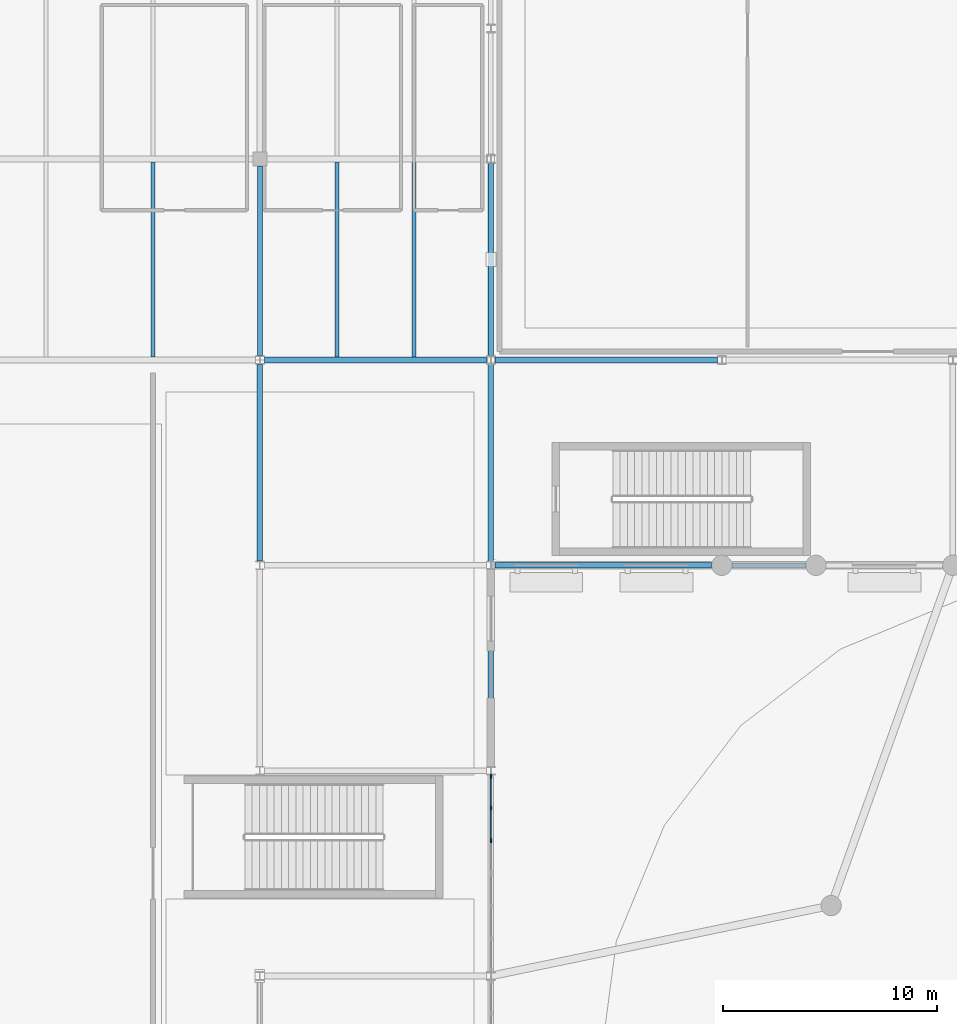
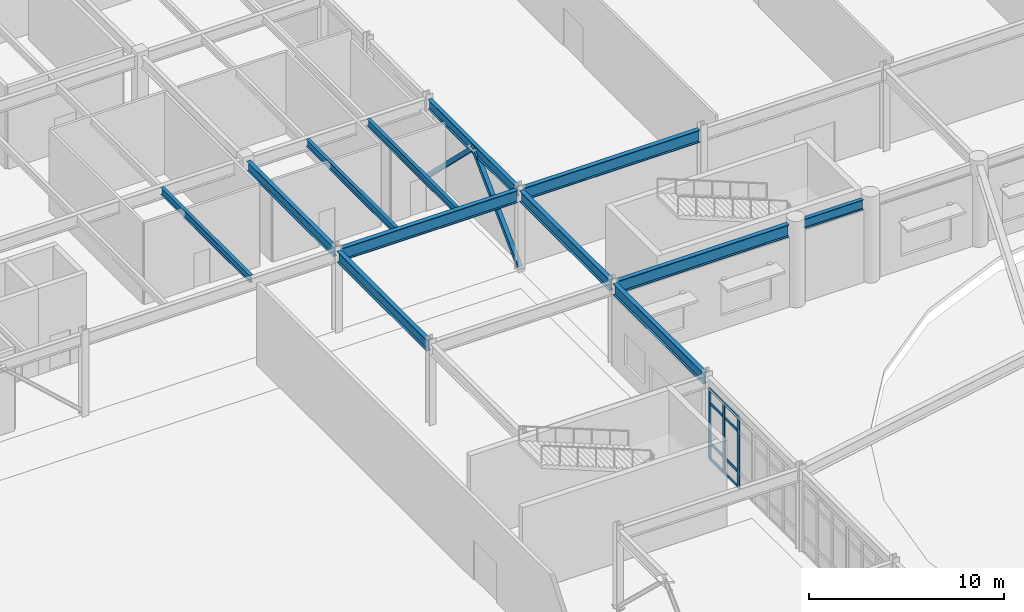
# One storey, part 16 of 54: 13 members, 12 beams, 1 element without a shape of its own.
"""IFC4 building model written with IfcOpenShell, lengths in metres."""

import ifcopenshell
import ifcopenshell.guid

model = None  # the IFC model being written
_history = None  # IfcOwnerHistory: only IFC2X3 demands one
_inside = {}  # id of a spatial element -> (the spatial element, [elements in it])
_under = {}  # id of a project, library or spatial element -> (it, [spatial elements below it])
_declared = {}  # id of a project -> (the project, [libraries it declares])
_typed = {}  # id of a type object -> (the type object, [elements of that type])
_made_of = {}  # id of a material, layer set ... -> (it, [elements and type objects made of it])


def new_model(schema):
    """Start an empty IFC model of exactly this schema.

    Asked for "IFC4X3", IfcOpenShell would pick the latest addendum, in which some entities
    have other attributes; the version numbers below select the first issue.
    IFC2X3 requires an IfcOwnerHistory on every rooted entity: one is made here for all.
    """
    global model, _history
    if schema == "IFC4X3":
        model = ifcopenshell.file(schema_version=(4, 3, 0, 0))
    else:
        model = ifcopenshell.file(schema=schema)
    _inside.clear()
    _under.clear()
    _declared.clear()
    _typed.clear()
    _made_of.clear()
    _history = None
    if model.schema == "IFC2X3":
        org = make("IfcOrganization", Name="unknown")
        user = make(
            "IfcPersonAndOrganization",
            ThePerson=make("IfcPerson", FamilyName="unknown"),
            TheOrganization=org,
        )
        app = make(
            "IfcApplication",
            ApplicationDeveloper=org,
            Version="unknown",
            ApplicationFullName="unknown",
            ApplicationIdentifier="unknown",
        )
        _history = make(
            "IfcOwnerHistory",
            OwningUser=user,
            OwningApplication=app,
            ChangeAction="ADDED",
            CreationDate=0,
        )
    return model


def make(cls, **values):
    """One entity of the class cls with the attributes given. An attribute that is None is left unset."""
    return model.create_entity(
        cls, **{name: value for name, value in values.items() if value is not None}
    )


def rooted(cls, **values):
    """An entity with a GlobalId (a new one), such as an element, a storey or a relation."""
    return make(cls, GlobalId=ifcopenshell.guid.new(), OwnerHistory=_history, **values)


def si_unit(unit_type, name, prefix=None):
    """IfcSIUnit, for example si_unit("LENGTHUNIT", "METRE", prefix="MILLI")."""
    return make("IfcSIUnit", UnitType=unit_type, Prefix=prefix, Name=name)


def assignment(units):
    """IfcUnitAssignment: the units of a project."""
    return None if units is None else make("IfcUnitAssignment", Units=units)


def point(xyz):
    """IfcCartesianPoint."""
    return None if xyz is None else make("IfcCartesianPoint", Coordinates=xyz)


def direction(xyz):
    """IfcDirection."""
    return None if xyz is None else make("IfcDirection", DirectionRatios=xyz)


def frame(location, z_axis=None, x_axis=None):
    """IfcAxis2Placement3D, a coordinate frame: its origin and axes. An axis left out is left unset."""
    return make(
        "IfcAxis2Placement3D",
        Location=point(location),
        Axis=direction(z_axis),
        RefDirection=direction(x_axis),
    )


def frame_2d(location, x_axis=None):
    """IfcAxis2Placement2D, a coordinate frame in the plane: its origin and x axis."""
    return make(
        "IfcAxis2Placement2D", Location=point(location), RefDirection=direction(x_axis)
    )


def origin():
    """The frame at (0, 0, 0) with its axes left unset."""
    return frame((0.0, 0.0, 0.0))


def origin_2d():
    """The frame at (0, 0) in the plane with its x axis left unset."""
    return frame_2d((0.0, 0.0))


def place(relative_to, where):
    """IfcLocalPlacement: puts the frame where relative to a parent placement (None: the world)."""
    return make(
        "IfcLocalPlacement", PlacementRelTo=relative_to, RelativePlacement=where
    )


def context(
    kind, dimensions, precision=None, world=None, true_north=None, identifier=None
):
    """IfcGeometricRepresentationContext, for example the 3D "Model" context."""
    return make(
        "IfcGeometricRepresentationContext",
        ContextIdentifier=identifier,
        ContextType=kind,
        CoordinateSpaceDimension=dimensions,
        Precision=precision,
        WorldCoordinateSystem=world,
        TrueNorth=true_north,
    )


def subcontext(parent, identifier, kind, view, scale=None):
    """IfcGeometricRepresentationSubContext, for example "Body" below "Model"."""
    return make(
        "IfcGeometricRepresentationSubContext",
        ContextIdentifier=identifier,
        ContextType=kind,
        ParentContext=parent,
        TargetScale=scale,
        TargetView=view,
    )


def project(units=None, contexts=None):
    """IfcProject with its units and contexts."""
    return rooted(
        "IfcProject",
        Name="project",
        RepresentationContexts=contexts,
        UnitsInContext=assignment(units),
    )


def spatial(cls, under=None, at=None, **own):
    """A site, building, storey or space (cls), placed at a placement, below another one or the project."""
    s = rooted(cls, ObjectPlacement=at, **own)
    if under is not None:
        _under.setdefault(under.id(), (under, []))[1].append(s)
    return s


def profile(cls, at=None, kind="AREA", **sizes):
    """A parametric profile (cls). Its sizes go by their IFC names, for example OverallWidth=200.0."""
    return make(cls, ProfileType=kind, Position=at, **sizes)


def rectangle(**sizes):
    """IfcRectangleProfileDef."""
    return profile("IfcRectangleProfileDef", **sizes)


def hollow_rectangle(**sizes):
    """IfcRectangleHollowProfileDef."""
    return profile("IfcRectangleHollowProfileDef", **sizes)


def i_section(**sizes):
    """IfcIShapeProfileDef."""
    return profile("IfcIShapeProfileDef", **sizes)


def extrude(swept, where, along, depth):
    """IfcExtrudedAreaSolid: the profile swept, set in the frame where, extruded along a direction by depth."""
    return make(
        "IfcExtrudedAreaSolid",
        SweptArea=swept,
        Position=where,
        ExtrudedDirection=direction(along),
        Depth=depth,
    )


def shape(context_of_items, identifier, shape_type, items):
    """IfcShapeRepresentation: the items that make up one representation, for example the "Body"."""
    return make(
        "IfcShapeRepresentation",
        ContextOfItems=context_of_items,
        RepresentationIdentifier=identifier,
        RepresentationType=shape_type,
        Items=items,
    )


def material(Name=None, Category=None):
    """IfcMaterial."""
    return make("IfcMaterial", Name=Name, Category=Category)


def material_profile(
    of_material, cross_section, Name=None, Category=None, Priority=None
):
    """IfcMaterialProfile: a cross section and its material."""
    return make(
        "IfcMaterialProfile",
        Name=Name,
        Material=of_material,
        Profile=cross_section,
        Priority=Priority,
        Category=Category,
    )


def profile_set(profiles, Name=None, composite=None):
    """IfcMaterialProfileSet."""
    return make(
        "IfcMaterialProfileSet",
        Name=Name,
        MaterialProfiles=profiles,
        CompositeProfile=composite,
    )


def made_of(thing, what):
    """Note that an element or type object is made of a material, layer set ...; save() writes the relation."""
    if what is not None:
        _made_of.setdefault(what.id(), (what, []))[1].append(thing)
    return thing


def type_object(cls, material=None, **own):
    """A type object (cls), such as IfcWallType, which elements share."""
    return made_of(rooted(cls, **own), material)


def element(
    cls,
    number,
    at=None,
    inside=None,
    cuts=None,
    type_object=None,
    material=None,
    context=None,
    identifier="Body",
    shape_type=None,
    held_by="IfcProductDefinitionShape",
    body=None,
    shapes=None,
    **own,
):
    """One element of the class cls, such as IfcWall. Its Tag is "e" and its number.

    at: its placement. inside: the storey or other place that contains it. cuts: it is an
    opening in that element (IfcRelVoidsElement). A single representation is given by context,
    identifier, shape_type and body (its items); several are given by shapes. held_by: the class
    of the entity that holds the representations. save() writes the other relations.
    """
    e = rooted(cls, Tag="e%d" % number, ObjectPlacement=at, **own)
    if body is not None:
        shapes = [shape(context, identifier, shape_type, body)]
    if shapes is not None:
        e.Representation = make(held_by, Representations=shapes)
    if inside is not None:
        _inside.setdefault(inside.id(), (inside, []))[1].append(e)
    if cuts is not None:
        rooted(
            "IfcRelVoidsElement", RelatingBuildingElement=cuts, RelatedOpeningElement=e
        )
    if type_object is not None:
        _typed.setdefault(type_object.id(), (type_object, []))[1].append(e)
    return made_of(e, material)


def aggregate(whole, parts):
    """IfcRelAggregates: a whole, such as a stair, and the parts it consists of."""
    return rooted("IfcRelAggregates", RelatingObject=whole, RelatedObjects=parts)


def save(model, path):
    """Write the relations noted so far, then the file.

    IfcRelAggregates (storeys below a building ...), IfcRelContainedInSpatialStructure (elements
    in a storey), IfcRelDefinesByType, IfcRelAssociatesMaterial and IfcRelDeclares: one each for
    every whole, place, type object, material and project.
    """
    for whole, parts in _under.values():
        aggregate(whole, parts)
    for where, things in _inside.values():
        rooted(
            "IfcRelContainedInSpatialStructure",
            RelatedElements=things,
            RelatingStructure=where,
        )
    for kind, things in _typed.values():
        rooted("IfcRelDefinesByType", RelatedObjects=things, RelatingType=kind)
    for what, things in _made_of.values():
        rooted("IfcRelAssociatesMaterial", RelatedObjects=things, RelatingMaterial=what)
    for by, libraries in _declared.values():
        rooted("IfcRelDeclares", RelatingContext=by, RelatedDefinitions=libraries)
    model.write(path)


model = new_model("IFC4")

# Units and contexts
model_context = context("Model", 3, precision=1e-05, world=origin(), true_north=direction((0.0, 1.0)))
body_context = subcontext(model_context, "Body", "Model", "MODEL_VIEW")
ifc_project = project(units=[si_unit("LENGTHUNIT", "METRE"), si_unit("AREAUNIT", "SQUARE_METRE"), si_unit("VOLUMEUNIT", "CUBIC_METRE"), si_unit("PLANEANGLEUNIT", "RADIAN"), si_unit("MASSUNIT", "GRAM", prefix="KILO")], contexts=[model_context])

# Site, building, storey
site_placement = place(None, origin())
site = spatial("IfcSite", under=ifc_project, at=site_placement, CompositionType="ELEMENT")
building_placement = place(site_placement, origin())
building = spatial("IfcBuilding", under=site, at=building_placement, Name="Veldera Park Congress Hotel", CompositionType="ELEMENT")
storey_placement = place(building_placement, origin())
storey = spatial("IfcBuildingStorey", under=building, at=storey_placement, Name="L00", CompositionType="ELEMENT", Elevation=0.0)

# Beams
ifc_material_1 = material(Name="Steel ASTM A992 Gr.50", Category="steel")
ifc_material_profile_1 = material_profile(ifc_material_1, i_section(OverallWidth=0.22900390625, OverallDepth=0.612060546875, WebThickness=0.011962890625, FlangeThickness=0.01953125, at=origin_2d()), Name="W24X84")
ifc_profile_set_1 = profile_set([ifc_material_profile_1], Name="Steel ASTM A992 Gr.50")
beam_type_1 = type_object("IfcBeamType", Name="BM-W24", PredefinedType="BEAM", material=ifc_profile_set_1)
beam_1_placement = place(storey_placement, frame((9.675048828125, 17.39990234375, 4.81396484375), z_axis=(1.0, 0.0, 0.0), x_axis=(0.0, 1.0, 0.0)))
element("IfcBeam", 1, at=beam_1_placement, inside=storey, type_object=beam_type_1, Name="L00 Girder BM-W24 327", PredefinedType="BEAM", context=body_context, shape_type="SweptSolid", body=[
    extrude(i_section(OverallWidth=0.22900390625, OverallDepth=0.612060546875, WebThickness=0.011962890625, FlangeThickness=0.01953125, at=origin_2d()), origin(), (0.0, 0.0, 1.0), 3.449951171875),
])
ifc_material_profile_2 = material_profile(ifc_material_1, i_section(OverallWidth=0.22998046875, OverallDepth=0.616943359375, WebThickness=0.01318359375, FlangeThickness=0.022216796875, at=origin_2d()), Name="W24X94")
ifc_profile_set_2 = profile_set([ifc_material_profile_2], Name="Steel ASTM A992 Gr.50")
beam_type_2 = type_object("IfcBeamType", Name="BM-W24B", PredefinedType="BEAM", material=ifc_profile_set_2)
beam_2_placement = place(storey_placement, frame((-12.39990234375, 27.2080078125, 4.8115234375), z_axis=(0.0, 1.0, 0.0), x_axis=(-1.0, 0.0, 0.0)))
element("IfcBeam", 2, at=beam_2_placement, inside=storey, type_object=beam_type_2, Name="L00 Girder BM-W24B 426", PredefinedType="BEAM", context=body_context, shape_type="SweptSolid", body=[
    extrude(i_section(OverallWidth=0.22998046875, OverallDepth=0.616943359375, WebThickness=0.01318359375, FlangeThickness=0.022216796875, at=origin_2d()), origin(), (0.0, 0.0, 1.0), 8.866943359375),
])
beam_3_placement = place(storey_placement, frame((-1.60009765625, 27.1904296875, 4.8115234375), z_axis=(0.0, 1.0, 0.0), x_axis=(-1.0, 0.0, 0.0)))
element("IfcBeam", 3, at=beam_3_placement, inside=storey, type_object=beam_type_2, Name="L00 Girder BM-W24B 434", PredefinedType="BEAM", context=body_context, shape_type="SweptSolid", body=[
    extrude(i_section(OverallWidth=0.22998046875, OverallDepth=0.616943359375, WebThickness=0.01318359375, FlangeThickness=0.022216796875, at=origin_2d()), origin(), (0.0, 0.0, 1.0), 9.01611328125),
])
ifc_material_profile_3 = material_profile(ifc_material_1, i_section(OverallWidth=0.256103515625, OverallDepth=0.693115234375, WebThickness=0.014404296875, FlangeThickness=0.023681640625, at=origin_2d()), Name="W27X114")
ifc_profile_set_3 = profile_set([ifc_material_profile_3], Name="Steel ASTM A992 Gr.50")
beam_type_3 = type_object("IfcBeamType", Name="BM-W27", PredefinedType="BEAM", material=ifc_profile_set_3)
beam_4_placement = place(storey_placement, frame((-12.39990234375, 17.603515625, 4.7734375), z_axis=(0.0, 1.0, 0.0), x_axis=(-1.0, 0.0, 0.0)))
element("IfcBeam", 4, at=beam_4_placement, inside=storey, type_object=beam_type_3, Name="L00 Girder BM-W27 425", PredefinedType="BEAM", context=body_context, shape_type="SweptSolid", body=[
    extrude(i_section(OverallWidth=0.256103515625, OverallDepth=0.693115234375, WebThickness=0.014404296875, FlangeThickness=0.023681640625, at=origin_2d()), origin(), (0.0, 0.0, 1.0), 9.1884765625),
])
for number, where, z_axis, x_axis, name in (
    (5, (-1.60009765625, 7.990478515625, 4.7734375), (0.0, 1.0, 0.0), (-1.0, 0.0, 0.0), "L00 Girder BM-W27 432"),
    (6, (-1.60009765625, 17.590576171875, 4.7734375), (0.0, 1.0, 0.0), (-1.0, 0.0, 0.0), "L00 Girder BM-W27 433"),
):
    element("IfcBeam", number, at=place(storey_placement, frame(where, z_axis=z_axis, x_axis=x_axis)), inside=storey, type_object=beam_type_3, Name=name, PredefinedType="BEAM", context=body_context, shape_type="SweptSolid", body=[
        extrude(i_section(OverallWidth=0.256103515625, OverallDepth=0.693115234375, WebThickness=0.014404296875, FlangeThickness=0.023681640625, at=origin_2d()), origin(), (0.0, 0.0, 1.0), 9.218994140625),
    ])
ifc_material_profile_4 = material_profile(ifc_material_1, i_section(OverallWidth=0.26708984375, OverallDepth=0.779052734375, WebThickness=0.0166015625, FlangeThickness=0.030029296875, at=origin_2d()), Name="W30X148")
ifc_profile_set_4 = profile_set([ifc_material_profile_4], Name="Steel ASTM A992 Gr.50")
beam_type_4 = type_object("IfcBeamType", Name="BM-W30", PredefinedType="BEAM", material=ifc_profile_set_4)
beam_5_placement = place(storey_placement, frame((-1.402099609375, 17.39990234375, 4.73046875), z_axis=(1.0, 0.0, 0.0), x_axis=(0.0, 1.0, 0.0)))
element("IfcBeam", 7, at=beam_5_placement, inside=storey, type_object=beam_type_4, Name="L00 Girder BM-W30 326", PredefinedType="BEAM", context=body_context, shape_type="SweptSolid", body=[
    extrude(i_section(OverallWidth=0.26708984375, OverallDepth=0.779052734375, WebThickness=0.0166015625, FlangeThickness=0.030029296875, at=origin_2d()), origin(), (0.0, 0.0, 1.0), 10.127197265625),
])
beam_6_placement = place(storey_placement, frame((-12.197021484375, 27.0, 4.73046875), z_axis=(1.0, 0.0, 0.0), x_axis=(0.0, 1.0, 0.0)))
element("IfcBeam", 8, at=beam_6_placement, inside=storey, type_object=beam_type_4, Name="L00 Girder BM-W30 342", PredefinedType="BEAM", context=body_context, shape_type="SweptSolid", body=[
    extrude(i_section(OverallWidth=0.26708984375, OverallDepth=0.779052734375, WebThickness=0.0166015625, FlangeThickness=0.030029296875, at=origin_2d()), origin(), (0.0, 0.0, 1.0), 10.39892578125),
])
beam_7_placement = place(storey_placement, frame((-1.402099609375, 27.0, 4.73046875), z_axis=(1.0, 0.0, 0.0), x_axis=(0.0, 1.0, 0.0)))
element("IfcBeam", 9, at=beam_7_placement, inside=storey, type_object=beam_type_4, Name="L00 Girder BM-W30 343", PredefinedType="BEAM", context=body_context, shape_type="SweptSolid", body=[
    extrude(i_section(OverallWidth=0.26708984375, OverallDepth=0.779052734375, WebThickness=0.0166015625, FlangeThickness=0.030029296875, at=origin_2d()), origin(), (0.0, 0.0, 1.0), 10.403564453125),
])

# Members
ifc_material_2 = material(Name="Steel ASTM A500 Gr.C", Category="steel")
ifc_material_profile_5 = material_profile(ifc_material_2, hollow_rectangle(XDim=0.25, YDim=0.25, WallThickness=0.01611328125, at=origin_2d()), Name="HSS250X250X16")
ifc_profile_set_5 = profile_set([ifc_material_profile_5], Name="Steel ASTM A500 Gr.C")
member_type_1 = type_object("IfcMemberType", Name="BRC-HSS250", PredefinedType="BRACE", material=ifc_profile_set_5)
for number, where, z_axis, x_axis, name in (
    (10, (-1.60009765625, 27.0, 0.199951171875), (0.0, 0.713786027258, 0.700363839223), (-1.0, 0.0, 0.0), "L00 Chevron Brace 7A"),
    (11, (-1.60009765625, 36.39990234375, 0.199951171875), (0.0, -0.713786027258, 0.700363839223), (1.0, 0.0, 0.0), "L00 Chevron Brace 7B"),
):
    element("IfcMember", number, at=place(storey_placement, frame(where, z_axis=z_axis, x_axis=x_axis)), inside=storey, type_object=member_type_1, Name=name, PredefinedType="BRACE", context=body_context, shape_type="SweptSolid", body=[
        extrude(hollow_rectangle(XDim=0.25, YDim=0.25, WallThickness=0.01611328125, at=origin_2d()), origin(), (0.0, 0.0, 1.0), 6.58447265625),
    ])

# Curtain wall, members
ifc_material_3 = material(Name="Low-E Triple Insulating Glass Unit (SHGC 0.22)", Category="glass")
curtain_wall_type = type_object("IfcCurtainWallType", Name="CW-POD", PredefinedType="NOTDEFINED", material=ifc_material_3)
curtain_wall_placement = place(storey_placement, origin())
curtain_wall = element("IfcCurtainWall", 12, at=curtain_wall_placement, inside=storey, type_object=curtain_wall_type, Name="L00 Curtain Wall CW3-V1E-L00-004", PredefinedType="NOTDEFINED")
ifc_material_4 = material(Name="Anodised Aluminium Alloy 6063-T6", Category="aluminium")
ifc_material_profile_6 = material_profile(ifc_material_4, rectangle(XDim=0.080078125, YDim=0.219970703125, at=origin_2d()), Name="ALU 80x220")
ifc_profile_set_6 = profile_set([ifc_material_profile_6], Name="Anodised Aluminium Alloy 6063-T6")
member_type_2 = type_object("IfcMemberType", Name="CWM-220", PredefinedType="MULLION", material=ifc_profile_set_6)
member_1_placement = place(storey_placement, frame((-1.60009765625, 4.533203125, 0.0), z_axis=(0.0, 0.0, 1.0), x_axis=(-1.0, 0.0, 0.0)))
member_1 = element("IfcMember", 13, at=member_1_placement, type_object=member_type_2, Name="CW-POD mullion 2", PredefinedType="MULLION", context=body_context, shape_type="SweptSolid", body=[
    extrude(rectangle(XDim=0.080078125, YDim=0.219970703125, at=origin_2d()), origin(), (0.0, 0.0, 1.0), 4.422119140625),
])
member_2_placement = place(storey_placement, frame((-1.60009765625, 6.05126953125, 0.0), z_axis=(0.0, 0.0, 1.0), x_axis=(-1.0, 0.0, 0.0)))
member_2 = element("IfcMember", 14, at=member_2_placement, type_object=member_type_2, Name="CW-POD mullion 3", PredefinedType="MULLION", context=body_context, shape_type="SweptSolid", body=[
    extrude(rectangle(XDim=0.080078125, YDim=0.219970703125, at=origin_2d()), origin(), (0.0, 0.0, 1.0), 4.422119140625),
])
member_3_placement = place(storey_placement, frame((-1.60009765625, 7.529541015625, 0.0), z_axis=(0.0, 0.0, 1.0), x_axis=(-1.0, 0.0, 0.0)))
member_3 = element("IfcMember", 15, at=member_3_placement, type_object=member_type_2, Name="CW-POD mullion 4", PredefinedType="MULLION", context=body_context, shape_type="SweptSolid", body=[
    extrude(rectangle(XDim=0.080078125, YDim=0.219970703125, at=origin_2d()), origin(), (0.0, 0.0, 1.0), 4.422119140625),
])
ifc_material_profile_7 = material_profile(ifc_material_4, rectangle(XDim=0.080078125, YDim=0.179931640625, at=origin_2d()), Name="ALU 80x180")
ifc_profile_set_7 = profile_set([ifc_material_profile_7], Name="Anodised Aluminium Alloy 6063-T6")
member_type_3 = type_object("IfcMemberType", Name="CWT-180", PredefinedType="USERDEFINED", material=ifc_profile_set_7)
member_4_placement = place(storey_placement, frame((-1.60009765625, 4.5732421875, 0.0400390625), z_axis=(0.0, 1.0, 0.0), x_axis=(-1.0, 0.0, 0.0)))
member_4 = element("IfcMember", 16, at=member_4_placement, type_object=member_type_3, Name="CW-POD transom 2.1", ObjectType="TRANSOM", PredefinedType="USERDEFINED", context=body_context, shape_type="SweptSolid", body=[
    extrude(rectangle(XDim=0.080078125, YDim=0.179931640625, at=origin_2d()), origin(), (0.0, 0.0, 1.0), 1.43798828125),
])
member_5_placement = place(storey_placement, frame((-1.60009765625, 4.5732421875, 1.0), z_axis=(0.0, 1.0, 0.0), x_axis=(-1.0, 0.0, 0.0)))
member_5 = element("IfcMember", 17, at=member_5_placement, type_object=member_type_3, Name="CW-POD transom 2.2", ObjectType="TRANSOM", PredefinedType="USERDEFINED", context=body_context, shape_type="SweptSolid", body=[
    extrude(rectangle(XDim=0.080078125, YDim=0.179931640625, at=origin_2d()), origin(), (0.0, 0.0, 1.0), 1.43798828125),
])
member_6_placement = place(storey_placement, frame((-1.60009765625, 4.5732421875, 3.52197265625), z_axis=(0.0, 1.0, 0.0), x_axis=(-1.0, 0.0, 0.0)))
member_6 = element("IfcMember", 18, at=member_6_placement, type_object=member_type_3, Name="CW-POD transom 2.3", ObjectType="TRANSOM", PredefinedType="USERDEFINED", context=body_context, shape_type="SweptSolid", body=[
    extrude(rectangle(XDim=0.080078125, YDim=0.179931640625, at=origin_2d()), origin(), (0.0, 0.0, 1.0), 1.43798828125),
])
member_7_placement = place(storey_placement, frame((-1.60009765625, 4.5732421875, 4.382080078125), z_axis=(0.0, 1.0, 0.0), x_axis=(-1.0, 0.0, 0.0)))
member_7 = element("IfcMember", 19, at=member_7_placement, type_object=member_type_3, Name="CW-POD transom 2.4", ObjectType="TRANSOM", PredefinedType="USERDEFINED", context=body_context, shape_type="SweptSolid", body=[
    extrude(rectangle(XDim=0.080078125, YDim=0.179931640625, at=origin_2d()), origin(), (0.0, 0.0, 1.0), 1.43798828125),
])
member_8_placement = place(storey_placement, frame((-1.60009765625, 6.09130859375, 0.0400390625), z_axis=(0.0, 1.0, 0.0), x_axis=(-1.0, 0.0, 0.0)))
member_8 = element("IfcMember", 20, at=member_8_placement, type_object=member_type_3, Name="CW-POD transom 3.1", ObjectType="TRANSOM", PredefinedType="USERDEFINED", context=body_context, shape_type="SweptSolid", body=[
    extrude(rectangle(XDim=0.080078125, YDim=0.179931640625, at=origin_2d()), origin(), (0.0, 0.0, 1.0), 1.398193359375),
])
member_9_placement = place(storey_placement, frame((-1.60009765625, 6.09130859375, 1.0), z_axis=(0.0, 1.0, 0.0), x_axis=(-1.0, 0.0, 0.0)))
member_9 = element("IfcMember", 21, at=member_9_placement, type_object=member_type_3, Name="CW-POD transom 3.2", ObjectType="TRANSOM", PredefinedType="USERDEFINED", context=body_context, shape_type="SweptSolid", body=[
    extrude(rectangle(XDim=0.080078125, YDim=0.179931640625, at=origin_2d()), origin(), (0.0, 0.0, 1.0), 1.398193359375),
])
member_10_placement = place(storey_placement, frame((-1.60009765625, 6.09130859375, 3.52197265625), z_axis=(0.0, 1.0, 0.0), x_axis=(-1.0, 0.0, 0.0)))
member_10 = element("IfcMember", 22, at=member_10_placement, type_object=member_type_3, Name="CW-POD transom 3.3", ObjectType="TRANSOM", PredefinedType="USERDEFINED", context=body_context, shape_type="SweptSolid", body=[
    extrude(rectangle(XDim=0.080078125, YDim=0.179931640625, at=origin_2d()), origin(), (0.0, 0.0, 1.0), 1.398193359375),
])
member_11_placement = place(storey_placement, frame((-1.60009765625, 6.09130859375, 4.382080078125), z_axis=(0.0, 1.0, 0.0), x_axis=(-1.0, 0.0, 0.0)))
member_11 = element("IfcMember", 23, at=member_11_placement, type_object=member_type_3, Name="CW-POD transom 3.4", ObjectType="TRANSOM", PredefinedType="USERDEFINED", context=body_context, shape_type="SweptSolid", body=[
    extrude(rectangle(XDim=0.080078125, YDim=0.179931640625, at=origin_2d()), origin(), (0.0, 0.0, 1.0), 1.398193359375),
])
aggregate(curtain_wall, [member_1, member_2, member_3, member_4, member_5, member_6, member_7, member_8, member_9, member_10, member_11])

# Beams
ifc_material_profile_8 = material_profile(ifc_material_1, i_section(OverallWidth=0.19091796875, OverallDepth=0.45703125, WebThickness=0.009033203125, FlangeThickness=0.014404296875, at=origin_2d()), Name="W18X50")
ifc_profile_set_8 = profile_set([ifc_material_profile_8], Name="Steel ASTM A992 Gr.50")
beam_type_5 = type_object("IfcBeamType", Name="JST-W18", PredefinedType="JOIST", material=ifc_profile_set_8)
for number, where, z_axis, x_axis, name in (
    (24, (-17.39990234375, 27.133544921875, 4.8916015625), (0.0, 1.0, 0.0), (-1.0, 0.0, 0.0), "L00 Floor Joist JST-W18 515"),
    (25, (-8.800048828125, 27.133544921875, 4.8916015625), (0.0, 1.0, 0.0), (-1.0, 0.0, 0.0), "L00 Floor Joist JST-W18 516"),
    (26, (-5.199951171875, 27.133544921875, 4.8916015625), (0.0, 1.0, 0.0), (-1.0, 0.0, 0.0), "L00 Floor Joist JST-W18 517"),
):
    element("IfcBeam", number, at=place(storey_placement, frame(where, z_axis=z_axis, x_axis=x_axis)), inside=storey, type_object=beam_type_5, Name=name, PredefinedType="JOIST", context=body_context, shape_type="SweptSolid", body=[
        extrude(i_section(OverallWidth=0.19091796875, OverallDepth=0.45703125, WebThickness=0.009033203125, FlangeThickness=0.014404296875, at=origin_2d()), origin(), (0.0, 0.0, 1.0), 9.133056640625),
    ])

save(model, "model.ifc")
